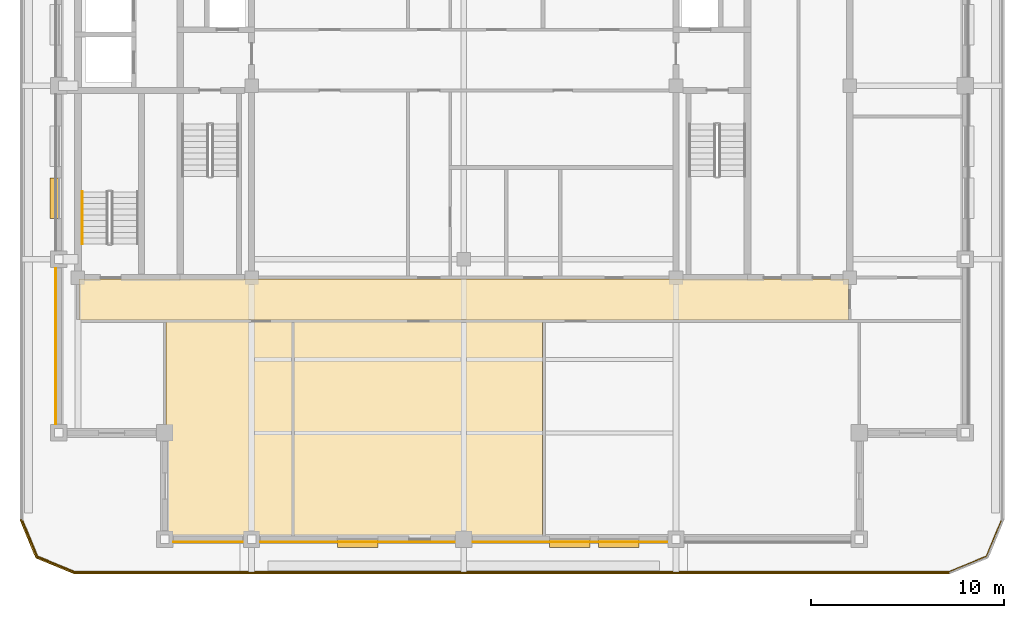
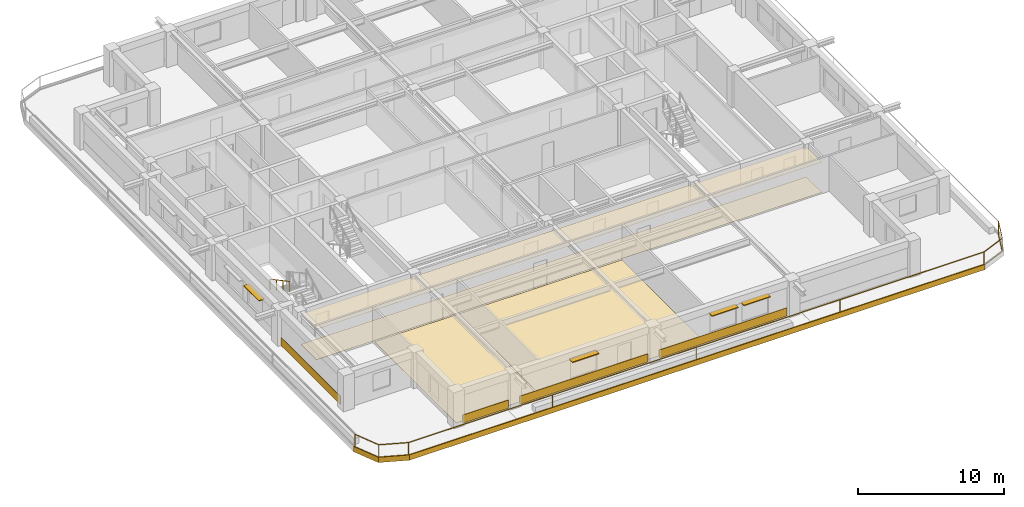
# One storey, part 7 of 11: 11 coverings, 4 shading devices, 2 railings.
"""IFC4 building model written with IfcOpenShell, lengths in metres."""

from ifc_helpers import new_model, si_unit, direction, frame, frame_2d, origin, origin_2d, place, context, subcontext, project, spatial, polyline, rectangle, outline, extrude, material, layer, layer_set, type_object, element, save


model = new_model("IFC4")

# Units and contexts
model_context = context("Model", 3, precision=1e-05, world=origin(), true_north=direction((0.0, 1.0)))
body_context = subcontext(model_context, "Body", "Model", "MODEL_VIEW")
ifc_project = project(units=[si_unit("LENGTHUNIT", "METRE"), si_unit("AREAUNIT", "SQUARE_METRE"), si_unit("VOLUMEUNIT", "CUBIC_METRE"), si_unit("PLANEANGLEUNIT", "RADIAN"), si_unit("MASSUNIT", "GRAM", prefix="KILO")], contexts=[model_context])

# Site, building, storey
site_placement = place(None, origin())
site = spatial("IfcSite", under=ifc_project, at=site_placement, CompositionType="ELEMENT")
building_placement = place(site_placement, origin())
building = spatial("IfcBuilding", under=site, at=building_placement, Name="Zulmaris Gate Convention Tower", CompositionType="ELEMENT")
storey_placement = place(building_placement, frame((0.0, 0.0, 239.739990234375)))
storey = spatial("IfcBuildingStorey", under=building, at=storey_placement, Name="L63", CompositionType="ELEMENT", Elevation=239.739990234375)

# Coverings
ifc_material_1 = material(Name="Precast concrete C40/50", Category="concrete")
ifc_layer_1 = layer(ifc_material_1, 0.0400390625, Name="Precast concrete C40/50")
ifc_layer_set_1 = layer_set([ifc_layer_1], Name="Precast concrete C40/50")
covering_type_1 = type_object("IfcCoveringType", Name="CLAD-SPANDREL-PRECAST", PredefinedType="CLADDING", material=ifc_layer_set_1)
covering_1_placement = place(storey_placement, frame((-15.044921875, -23.64990234375, 0.0), z_axis=(0.0, 0.0, 1.0), x_axis=(1.0, 0.0, 0.0)))
element("IfcCovering", 1, at=covering_1_placement, inside=storey, type_object=covering_type_1, Name="CLD-L63-S-0_0", PredefinedType="CLADDING", context=body_context, shape_type="SweptSolid", body=[
    extrude(rectangle(XDim=3.58984375, YDim=0.0400390625, at=frame_2d((1.794921875, 0.0))), origin(), (0.0, 0.0, 1.0), 0.679931640625),
])
for number, where, z_axis, x_axis, name in (
    (2, (-10.544921875, -23.64990234375, 0.0), (0.0, 0.0, 1.0), (1.0, 0.0, 0.0), "CLD-L63-S-1_0"),
    (3, (0.455078125, -23.64990234375, 0.0), (0.0, 0.0, 1.0), (1.0, 0.0, 0.0), "CLD-L63-S-2_0"),
):
    element("IfcCovering", number, at=place(storey_placement, frame(where, z_axis=z_axis, x_axis=x_axis)), inside=storey, type_object=covering_type_1, Name=name, PredefinedType="CLADDING", context=body_context, shape_type="SweptSolid", body=[
        extrude(rectangle(XDim=10.08984375, YDim=0.0400390625, at=frame_2d((5.044921875, 0.0))), origin(), (0.0, 0.0, 1.0), 0.679931640625),
    ])
covering_2_placement = place(storey_placement, frame((-21.14990234375, -9.455078125, 0.0), z_axis=(0.0, 0.0, 1.0), x_axis=(0.0, -1.0, 0.0)))
element("IfcCovering", 4, at=covering_2_placement, inside=storey, type_object=covering_type_1, Name="CLD-L63-W-0_0", PredefinedType="CLADDING", context=body_context, shape_type="SweptSolid", body=[
    extrude(rectangle(XDim=8.08984375, YDim=0.0400390625, at=frame_2d((4.044921875, 0.0))), origin(), (0.0, 0.0, 1.0), 0.679931640625),
])
ifc_material_2 = material(Name="White Glazed Architectural Precast Concrete C40/50", Category="concrete")
ifc_layer_2 = layer(ifc_material_2, 0.080078125, Name="White Glazed Architectural Precast Concrete C40/50")
ifc_layer_set_2 = layer_set([ifc_layer_2], Name="White Glazed Architectural Precast Concrete C40/50")
covering_type_2 = type_object("IfcCoveringType", Name="CLAD-TRAY-FASCIA", PredefinedType="CLADDING", material=ifc_layer_set_2)
covering_3_placement = place(storey_placement, frame((-22.962890625, -22.484619140625, -0.2900390625), z_axis=(0.0, 0.0, 1.0), x_axis=(0.382656984709, -0.923890487046, 0.0)))
element("IfcCovering", 5, at=covering_3_placement, inside=storey, type_object=covering_type_2, Name="FSC-L63-TR-00", PredefinedType="CLADDING", context=body_context, shape_type="SweptSolid", body=[
    extrude(rectangle(XDim=2.14306640625, YDim=0.080078125, at=frame_2d((1.071533203125, 0.0))), origin(), (0.0, 0.0, 1.0), 0.43994140625),
])
covering_4_placement = place(storey_placement, frame((-22.16455078125, -24.44287109375, -0.2900390625), z_axis=(0.0, 0.0, 1.0), x_axis=(0.923873803533, -0.382697263049, 0.0)))
element("IfcCovering", 6, at=covering_4_placement, inside=storey, type_object=covering_type_2, Name="FSC-L63-TR-01", PredefinedType="CLADDING", context=body_context, shape_type="SweptSolid", body=[
    extrude(rectangle(XDim=2.142822265625, YDim=0.080078125, at=frame_2d((1.0712890625, 0.0))), origin(), (0.0, 0.0, 1.0), 0.43994140625),
])
covering_5_placement = place(storey_placement, frame((-20.199951171875, -25.260009765625, -0.2900390625), z_axis=(0.0, 0.0, 1.0), x_axis=(1.0, 0.0, 0.0)))
element("IfcCovering", 7, at=covering_5_placement, inside=storey, type_object=covering_type_2, Name="FSC-L63-TR-02", PredefinedType="CLADDING", context=body_context, shape_type="SweptSolid", body=[
    extrude(rectangle(XDim=45.39990234375, YDim=0.080078125, at=frame_2d((22.699951171875, 0.0))), origin(), (0.0, 0.0, 1.0), 0.43994140625),
])
ifc_material_3 = material(Name="Mineral Fibre Acoustic Ceiling Tile")
ifc_layer_3 = layer(ifc_material_3, 0.02001953125, Name="Mineral Fibre Acoustic Ceiling Tile")
ifc_layer_set_3 = layer_set([ifc_layer_3], Name="Mineral Fibre Acoustic Ceiling Tile")
covering_type_3 = type_object("IfcCoveringType", Name="CLG-ACOUSTIC-600", PredefinedType="CEILING", material=ifc_layer_set_3)
covering_6_placement = place(storey_placement, frame((0.0, 0.0, 2.5380859375)))
element("IfcCovering", 8, at=covering_6_placement, inside=storey, type_object=covering_type_3, Name="CLG-L63-R29", PredefinedType="CEILING", context=body_context, shape_type="SweptSolid", body=[
    extrude(outline(polyline([(-19.93994140625, -12.139892578125), (19.93994140625, -12.139892578125), (19.93994140625, -10.010009765625), (-19.93994140625, -10.010009765625), (-19.93994140625, -12.139892578125)])), origin(), (0.0, 0.0, 1.0), 0.02001953125),
])
ifc_material_4 = material(Name="Woven Acoustic Wool Carpet Tile")
ifc_layer_4 = layer(ifc_material_4, 0.02001953125, Name="Woven Acoustic Wool Carpet Tile")
ifc_layer_set_4 = layer_set([ifc_layer_4], Name="Woven Acoustic Wool Carpet Tile")
covering_type_4 = type_object("IfcCoveringType", Name="FLR-CARPET-12", PredefinedType="FLOORING", material=ifc_layer_set_4)
covering_7_placement = place(storey_placement, origin())
element("IfcCovering", 9, at=covering_7_placement, inside=storey, type_object=covering_type_4, Name="FLR-L63-R29", PredefinedType="FLOORING", context=body_context, shape_type="SweptSolid", body=[
    extrude(outline(polyline([(-19.93994140625, -12.139892578125), (19.93994140625, -12.139892578125), (19.93994140625, -10.010009765625), (-19.93994140625, -10.010009765625), (-19.93994140625, -12.139892578125)])), origin(), (0.0, 0.0, 1.0), 0.02001953125),
])
covering_8_placement = place(storey_placement, origin())
element("IfcCovering", 10, at=covering_8_placement, inside=storey, type_object=covering_type_4, Name="FLR-L63-R39", PredefinedType="FLOORING", context=body_context, shape_type="SweptSolid", body=[
    extrude(outline(polyline([(-15.43994140625, -23.43994140625), (-8.909912109375, -23.43994140625), (-8.909912109375, -12.260009765625), (-15.43994140625, -12.260009765625), (-15.43994140625, -23.43994140625)])), origin(), (0.0, 0.0, 1.0), 0.02001953125),
])
covering_9_placement = place(storey_placement, origin())
element("IfcCovering", 11, at=covering_9_placement, inside=storey, type_object=covering_type_4, Name="FLR-L63-R40", PredefinedType="FLOORING", context=body_context, shape_type="SweptSolid", body=[
    extrude(outline(polyline([(-8.7900390625, -23.43994140625), (4.090087890625, -23.43994140625), (4.090087890625, -12.260009765625), (-8.7900390625, -12.260009765625), (-8.7900390625, -23.43994140625)])), origin(), (0.0, 0.0, 1.0), 0.02001953125),
])

# Railings
ifc_material_5 = material(Name="Laminated Glass and Stainless Steel", Category="steel")
railing_type_1 = type_object("IfcRailingType", Name="RL-BALC-1150", PredefinedType="BALUSTRADE", material=ifc_material_5)
railing_1_placement = place(storey_placement, frame((-22.8798828125, -22.5, -0.010009765625)))
element("IfcRailing", 12, at=railing_1_placement, inside=storey, type_object=railing_type_1, Name="RL-L63-BALC-S", PredefinedType="BALUSTRADE", context=body_context, shape_type="SweptSolid", body=[
    extrude(rectangle(XDim=0.048095703125, YDim=0.048095703125, at=origin_2d()), frame((0.0, 0.0, 1.1259765625), z_axis=(0.382670664694, -0.92388482095, 0.0), x_axis=(0.92388482095, 0.382670664694, 0.0)), (0.0, 0.0, 1.0), 2.051025390625),
    extrude(rectangle(XDim=0.048095703125, YDim=0.048095703125, at=origin_2d()), frame((0.0, 0.0, 0.02392578125), z_axis=(0.382670664694, -0.92388482095, 0.0), x_axis=(0.92388482095, 0.382670664694, 0.0)), (0.0, 0.0, 1.0), 2.051025390625),
    extrude(rectangle(XDim=0.048095703125, YDim=0.048095703125, at=origin_2d()), frame((0.784912109375, -1.89501953125, 1.1259765625), z_axis=(0.92388482095, -0.382670664694, 0.0), x_axis=(0.382670664694, 0.92388482095, 0.0)), (0.0, 0.0, 1.0), 2.051025390625),
    extrude(rectangle(XDim=0.048095703125, YDim=0.048095703125, at=origin_2d()), frame((0.784912109375, -1.89501953125, 0.02392578125), z_axis=(0.92388482095, -0.382670664694, 0.0), x_axis=(0.382670664694, 0.92388482095, 0.0)), (0.0, 0.0, 1.0), 2.051025390625),
    extrude(rectangle(XDim=0.048095703125, YDim=0.048095703125, at=origin_2d()), frame((2.679931640625, -2.679931640625, 1.1259765625), z_axis=(1.0, 0.0, 0.0), x_axis=(0.0, 1.0, 0.0)), (0.0, 0.0, 1.0), 45.39990234375),
    extrude(rectangle(XDim=0.048095703125, YDim=0.048095703125, at=origin_2d()), frame((2.679931640625, -2.679931640625, 0.02392578125), z_axis=(1.0, 0.0, 0.0), x_axis=(0.0, 1.0, 0.0)), (0.0, 0.0, 1.0), 45.39990234375),
    extrude(rectangle(XDim=0.048095703125, YDim=0.048095703125, at=origin_2d()), frame((48.079833984375, -2.679931640625, 1.1259765625), z_axis=(0.92388482095, 0.382670664694, 0.0), x_axis=(-0.382670664694, 0.92388482095, 0.0)), (0.0, 0.0, 1.0), 2.051025390625),
    extrude(rectangle(XDim=0.048095703125, YDim=0.048095703125, at=origin_2d()), frame((48.079833984375, -2.679931640625, 0.02392578125), z_axis=(0.92388482095, 0.382670664694, 0.0), x_axis=(-0.382670664694, 0.92388482095, 0.0)), (0.0, 0.0, 1.0), 2.051025390625),
    extrude(rectangle(XDim=0.048095703125, YDim=0.048095703125, at=origin_2d()), frame((49.974853515625, -1.89501953125, 1.1259765625), z_axis=(0.382670664694, 0.92388482095, 0.0), x_axis=(-0.92388482095, 0.382670664694, 0.0)), (0.0, 0.0, 1.0), 2.051025390625),
    extrude(rectangle(XDim=0.048095703125, YDim=0.048095703125, at=origin_2d()), frame((49.974853515625, -1.89501953125, 0.02392578125), z_axis=(0.382670664694, 0.92388482095, 0.0), x_axis=(-0.92388482095, 0.382670664694, 0.0)), (0.0, 0.0, 1.0), 2.051025390625),
    extrude(rectangle(XDim=0.0419921875, YDim=0.0419921875, at=origin_2d()), origin(), (0.0, 0.0, 1.0), 1.101806640625),
    extrude(rectangle(XDim=0.0419921875, YDim=0.0419921875, at=origin_2d()), frame((0.784912109375, -1.89501953125, 0.0)), (0.0, 0.0, 1.0), 1.101806640625),
    extrude(rectangle(XDim=0.0419921875, YDim=0.0419921875, at=origin_2d()), frame((2.679931640625, -2.679931640625, 0.0)), (0.0, 0.0, 1.0), 1.101806640625),
    extrude(rectangle(XDim=0.0419921875, YDim=0.0419921875, at=origin_2d()), frame((14.02978515625, -2.679931640625, 0.0)), (0.0, 0.0, 1.0), 1.101806640625),
    extrude(rectangle(XDim=0.0419921875, YDim=0.0419921875, at=origin_2d()), frame((25.3798828125, -2.679931640625, 0.0)), (0.0, 0.0, 1.0), 1.101806640625),
    extrude(rectangle(XDim=0.0419921875, YDim=0.0419921875, at=origin_2d()), frame((36.72998046875, -2.679931640625, 0.0)), (0.0, 0.0, 1.0), 1.101806640625),
    extrude(rectangle(XDim=0.0419921875, YDim=0.0419921875, at=origin_2d()), frame((48.079833984375, -2.679931640625, 0.0)), (0.0, 0.0, 1.0), 1.101806640625),
    extrude(rectangle(XDim=0.0419921875, YDim=0.0419921875, at=origin_2d()), frame((49.974853515625, -1.89501953125, 0.0)), (0.0, 0.0, 1.0), 1.101806640625),
    extrude(rectangle(XDim=0.0419921875, YDim=0.0419921875, at=origin_2d()), frame((50.759765625, 0.0, 0.0)), (0.0, 0.0, 1.0), 1.101806640625),
])
ifc_material_6 = material(Name="Brushed Stainless Steel", Category="steel")
railing_type_2 = type_object("IfcRailingType", Name="RL-STH-900", PredefinedType="HANDRAIL", material=ifc_material_6)
railing_2_placement = place(storey_placement, frame((-19.77001953125, -5.5, 1.776611328125)))
element("IfcRailing", 13, at=railing_2_placement, inside=storey, type_object=railing_type_2, Name="L63 ST-3 stair handrail 2", PredefinedType="HANDRAIL", context=body_context, shape_type="SweptSolid", body=[
    extrude(rectangle(XDim=0.048095703125, YDim=0.048095703125, at=origin_2d()), frame((0.0, 0.0, 0.8759765625), z_axis=(0.0, -0.880532452117, 0.47398586558), x_axis=(1.0, 0.0, 0.0)), (0.0, 0.0, 1.0), 3.066162109375),
    extrude(rectangle(XDim=0.0419921875, YDim=0.0419921875, at=origin_2d()), origin(), (0.0, 0.0, 1.0), 0.851806640625),
    extrude(rectangle(XDim=0.0419921875, YDim=0.0419921875, at=origin_2d()), frame((0.0, -0.89990234375, 0.484375)), (0.0, 0.0, 1.0), 0.851806640625),
    extrude(rectangle(XDim=0.0419921875, YDim=0.0419921875, at=origin_2d()), frame((0.0, -1.800048828125, 0.968994140625)), (0.0, 0.0, 1.0), 0.851806640625),
    extrude(rectangle(XDim=0.0419921875, YDim=0.0419921875, at=origin_2d()), frame((0.0, -2.699951171875, 1.453369140625)), (0.0, 0.0, 1.0), 0.851806640625),
])

# Shading devices
ifc_material_7 = material(Name="Glazed Ceramic Terracotta", Category="masonry")
ifc_layer_5 = layer(ifc_material_7, 0.070068359375, Name="Glazed Ceramic Terracotta")
ifc_layer_set_5 = layer_set([ifc_layer_5], Name="Glazed Ceramic Terracotta")
shading_device_type = type_object("IfcShadingDeviceType", Name="SHD-SUNSHADE-TC", PredefinedType="AWNING", material=ifc_layer_set_5)
for number, where, z_axis, x_axis, name in (
    (14, (-6.550048828125, -23.719970703125, 2.22998046875), (0.0, 0.0, 1.0), (1.0, 0.0, 0.0), "SHD-EW-L63-S-1_0-2"),
    (15, (4.449951171875, -23.719970703125, 2.22998046875), (0.0, 0.0, 1.0), (1.0, 0.0, 0.0), "SHD-EW-L63-S-2_0-2"),
    (16, (6.972900390625, -23.719970703125, 2.22998046875), (0.0, 0.0, 1.0), (1.0, 0.0, 0.0), "SHD-EW-L63-S-2_0-3"),
):
    element("IfcShadingDevice", number, at=place(storey_placement, frame(where, z_axis=z_axis, x_axis=x_axis)), inside=storey, type_object=shading_device_type, Name=name, PredefinedType="AWNING", context=body_context, shape_type="SweptSolid", body=[
        extrude(rectangle(XDim=2.10009765625, YDim=0.43994140625, at=frame_2d((1.050048828125, 0.0))), origin(), (0.0, 0.0, 1.0), 0.070068359375),
    ])
shading_device_placement = place(storey_placement, frame((-21.219970703125, -4.798095703125, 2.22998046875), z_axis=(0.0, 0.0, 1.0), x_axis=(0.0, -1.0, 0.0)))
element("IfcShadingDevice", 17, at=shading_device_placement, inside=storey, type_object=shading_device_type, Name="SHD-EW-L63-W-1_0-2", PredefinedType="AWNING", context=body_context, shape_type="SweptSolid", body=[
    extrude(rectangle(XDim=2.099853515625, YDim=0.43994140625, at=frame_2d((1.0498046875, 0.0))), origin(), (0.0, 0.0, 1.0), 0.070068359375),
])

save(model, "model.ifc")
